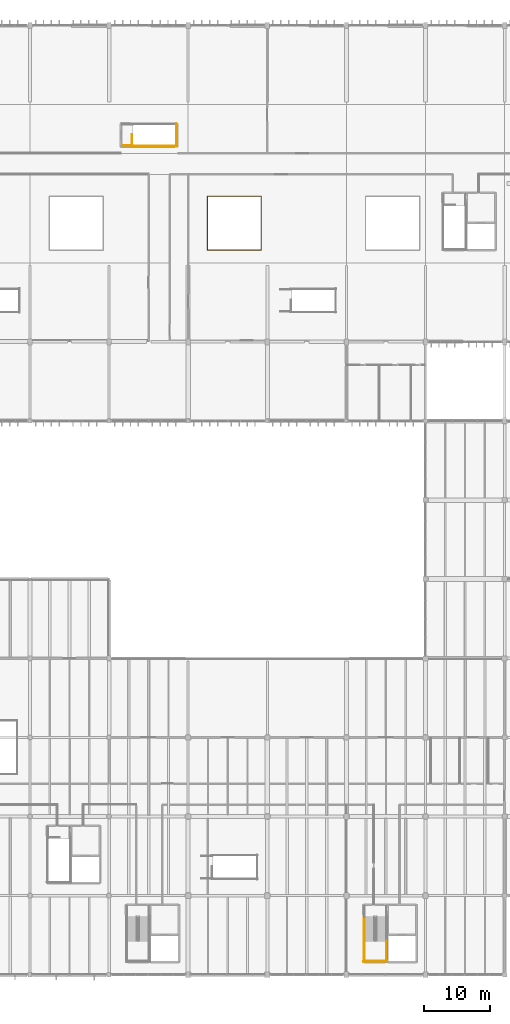
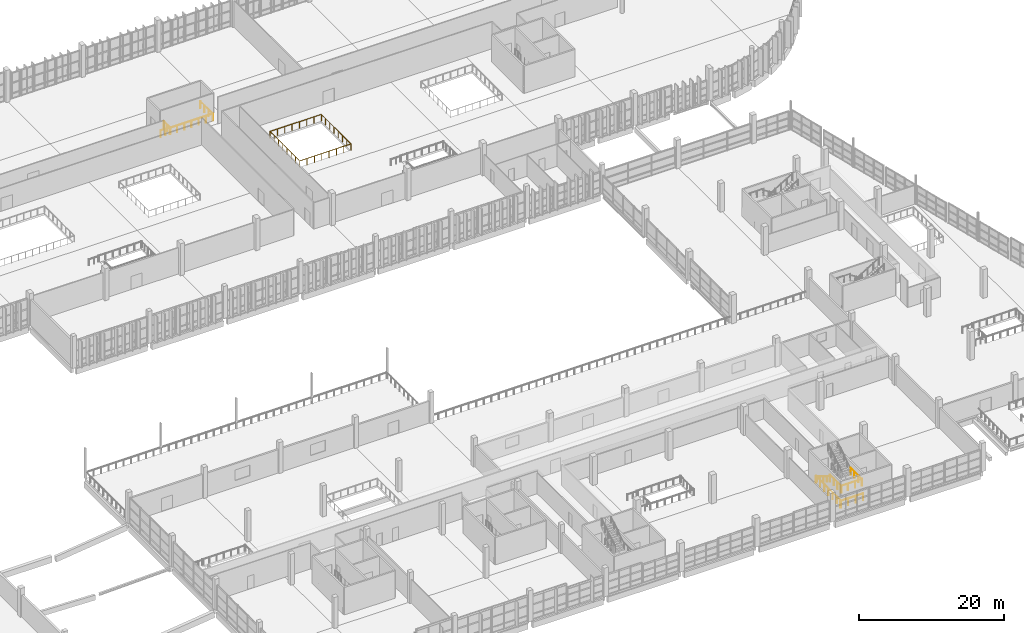
# One storey, part 100 of 112: 11 railings.
"""IFC4 building model written with IfcOpenShell, lengths in metres."""

from ifc_helpers import new_model, si_unit, direction, frame, origin, origin_2d, place, context, subcontext, project, spatial, circle, extrude, material, type_object, element, save


model = new_model("IFC4")

# Units and contexts
model_context = context("Model", 3, precision=1e-05, world=origin(), true_north=direction((0.0, 1.0)))
body_context = subcontext(model_context, "Body", "Model", "MODEL_VIEW")
ifc_project = project(units=[si_unit("LENGTHUNIT", "METRE"), si_unit("AREAUNIT", "SQUARE_METRE"), si_unit("VOLUMEUNIT", "CUBIC_METRE"), si_unit("PLANEANGLEUNIT", "RADIAN"), si_unit("MASSUNIT", "GRAM", prefix="KILO")], contexts=[model_context])

# Site, building, storey
site_placement = place(None, origin())
site = spatial("IfcSite", under=ifc_project, at=site_placement, CompositionType="ELEMENT")
building_placement = place(site_placement, origin())
building = spatial("IfcBuilding", under=site, at=building_placement, Name="Kamomehara Wholesale Market", CompositionType="ELEMENT")
storey_placement = place(building_placement, frame((0.0, 0.0, 6.60009765625)))
storey = spatial("IfcBuildingStorey", under=building, at=storey_placement, Name="L01", CompositionType="ELEMENT", Elevation=6.60009765625)

# Railings
ifc_material_1 = material(Name="Steel SN400B", Category="steel")
railing_type_1 = type_object("IfcRailingType", Name="RAL-HND-900", PredefinedType="HANDRAIL", material=ifc_material_1)
railing_1_placement = place(storey_placement, frame((146.75, 20.75, 0.1845703125)))
element("IfcRailing", 1, at=railing_1_placement, inside=storey, type_object=railing_type_1, Name="L01 ST-08 stair handrail 1", PredefinedType="HANDRAIL", context=body_context, shape_type="SweptSolid", body=[
    extrude(circle(Radius=0.02392578125, at=origin_2d()), frame((0.0, 0.0, 0.8759765625), z_axis=(0.0, -0.85167021472, 0.524078090897), x_axis=(1.0, 0.0, 0.0)), (0.0, 0.0, 1.0), 4.22705078125),
    extrude(circle(Radius=0.02099609375, at=origin_2d()), origin(), (0.0, 0.0, 1.0), 0.851806640625),
    extrude(circle(Radius=0.02099609375, at=origin_2d()), frame((0.0, -0.89990234375, 0.5537109375)), (0.0, 0.0, 1.0), 0.851806640625),
    extrude(circle(Radius=0.02099609375, at=origin_2d()), frame((0.0, -1.800048828125, 1.107666015625)), (0.0, 0.0, 1.0), 0.851806640625),
    extrude(circle(Radius=0.02099609375, at=origin_2d()), frame((0.0, -2.7001953125, 1.66162109375)), (0.0, 0.0, 1.0), 0.851806640625),
    extrude(circle(Radius=0.02099609375, at=origin_2d()), frame((0.0, -3.60009765625, 2.21533203125)), (0.0, 0.0, 1.0), 0.851806640625),
])
ifc_material_2 = material(Name="Steel SN400B", Category="steel")
railing_type_2 = type_object("IfcRailingType", Name="RAL-INT-1100", PredefinedType="BALUSTRADE", material=ifc_material_2)
for number, where, name in (
    (2, (146.75, 17.14990234375, 2.39990234375), "L01 ST-08 stair guard 3"),
    (3, (150.050048828125, 17.14990234375, 2.39990234375), "L01 ST-08 stair guard 4"),
):
    element("IfcRailing", number, at=place(storey_placement, frame(where)), inside=storey, type_object=railing_type_2, Name=name, PredefinedType="BALUSTRADE", context=body_context, shape_type="SweptSolid", body=[
        extrude(circle(Radius=0.02392578125, at=origin_2d()), frame((0.0, 0.0, 1.09619140625), z_axis=(0.0, -1.0, 0.0), x_axis=(1.0, 0.0, 0.0)), (0.0, 0.0, 1.0), 3.099853515625),
        extrude(circle(Radius=0.02099609375, at=origin_2d()), origin(), (0.0, 0.0, 1.0), 1.072021484375),
        extrude(circle(Radius=0.02099609375, at=origin_2d()), frame((0.0, -1.033203125, 0.0)), (0.0, 0.0, 1.0), 1.072021484375),
        extrude(circle(Radius=0.02099609375, at=origin_2d()), frame((0.0, -2.066650390625, 0.0)), (0.0, 0.0, 1.0), 1.072021484375),
        extrude(circle(Radius=0.02099609375, at=origin_2d()), frame((0.0, -3.099853515625, 0.0)), (0.0, 0.0, 1.0), 1.072021484375),
    ])
railing_2_placement = place(storey_placement, frame((146.699951171875, 14.10009765625, 2.39990234375)))
element("IfcRailing", 4, at=railing_2_placement, inside=storey, type_object=railing_type_2, Name="L01 ST-08 stair guard 5", PredefinedType="BALUSTRADE", context=body_context, shape_type="SweptSolid", body=[
    extrude(circle(Radius=0.02392578125, at=origin_2d()), frame((0.0, 0.0, 1.09619140625), z_axis=(1.0, 0.0, 0.0), x_axis=(0.0, 1.0, 0.0)), (0.0, 0.0, 1.0), 3.400146484375),
    extrude(circle(Radius=0.02099609375, at=origin_2d()), origin(), (0.0, 0.0, 1.0), 1.072021484375),
    extrude(circle(Radius=0.02099609375, at=origin_2d()), frame((1.13330078125, 0.0, 0.0)), (0.0, 0.0, 1.0), 1.072021484375),
    extrude(circle(Radius=0.02099609375, at=origin_2d()), frame((2.266845703125, 0.0, 0.0)), (0.0, 0.0, 1.0), 1.072021484375),
    extrude(circle(Radius=0.02099609375, at=origin_2d()), frame((3.400146484375, 0.0, 0.0)), (0.0, 0.0, 1.0), 1.072021484375),
])
railing_3_placement = place(storey_placement, frame((146.64990234375, 20.85009765625, 0.0)))
element("IfcRailing", 5, at=railing_3_placement, inside=storey, type_object=railing_type_2, Name="L01 ST-08 stair guard 10", PredefinedType="BALUSTRADE", context=body_context, shape_type="SweptSolid", body=[
    extrude(circle(Radius=0.02392578125, at=origin_2d()), frame((0.0, 0.0, 1.09619140625), z_axis=(0.0, -1.0, 0.0), x_axis=(1.0, 0.0, 0.0)), (0.0, 0.0, 1.0), 6.900146484375),
    extrude(circle(Radius=0.02099609375, at=origin_2d()), origin(), (0.0, 0.0, 1.0), 1.072021484375),
    extrude(circle(Radius=0.02099609375, at=origin_2d()), frame((0.0, -1.14990234375, 0.0)), (0.0, 0.0, 1.0), 1.072021484375),
    extrude(circle(Radius=0.02099609375, at=origin_2d()), frame((0.0, -2.300048828125, 0.0)), (0.0, 0.0, 1.0), 1.072021484375),
    extrude(circle(Radius=0.02099609375, at=origin_2d()), frame((0.0, -3.4501953125, 0.0)), (0.0, 0.0, 1.0), 1.072021484375),
    extrude(circle(Radius=0.02099609375, at=origin_2d()), frame((0.0, -4.60009765625, 0.0)), (0.0, 0.0, 1.0), 1.072021484375),
    extrude(circle(Radius=0.02099609375, at=origin_2d()), frame((0.0, -5.75, 0.0)), (0.0, 0.0, 1.0), 1.072021484375),
    extrude(circle(Radius=0.02099609375, at=origin_2d()), frame((0.0, -6.900146484375, 0.0)), (0.0, 0.0, 1.0), 1.072021484375),
])
railing_4_placement = place(storey_placement, frame((146.60009765625, 14.0, 0.0)))
element("IfcRailing", 6, at=railing_4_placement, inside=storey, type_object=railing_type_2, Name="L01 ST-08 stair guard 12", PredefinedType="BALUSTRADE", context=body_context, shape_type="SweptSolid", body=[
    extrude(circle(Radius=0.02392578125, at=origin_2d()), frame((0.0, 0.0, 1.09619140625), z_axis=(1.0, 0.0, 0.0), x_axis=(0.0, 1.0, 0.0)), (0.0, 0.0, 1.0), 3.599853515625),
    extrude(circle(Radius=0.02099609375, at=origin_2d()), origin(), (0.0, 0.0, 1.0), 1.072021484375),
    extrude(circle(Radius=0.02099609375, at=origin_2d()), frame((1.199951171875, 0.0, 0.0)), (0.0, 0.0, 1.0), 1.072021484375),
    extrude(circle(Radius=0.02099609375, at=origin_2d()), frame((2.39990234375, 0.0, 0.0)), (0.0, 0.0, 1.0), 1.072021484375),
    extrude(circle(Radius=0.02099609375, at=origin_2d()), frame((3.599853515625, 0.0, 0.0)), (0.0, 0.0, 1.0), 1.072021484375),
])
railing_5_placement = place(storey_placement, frame((111.47998046875, 137.75, 0.0)))
element("IfcRailing", 7, at=railing_5_placement, inside=storey, type_object=railing_type_2, Name="L01 ST-13 top well guard 1", PredefinedType="BALUSTRADE", context=body_context, shape_type="SweptSolid", body=[
    extrude(circle(Radius=0.02392578125, at=origin_2d()), frame((0.0, 0.0, 1.09619140625), z_axis=(0.0, 1.0, 0.0), x_axis=(-1.0, 0.0, 0.0)), (0.0, 0.0, 1.0), 1.72998046875),
    extrude(circle(Radius=0.02099609375, at=origin_2d()), origin(), (0.0, 0.0, 1.0), 1.072021484375),
    extrude(circle(Radius=0.02099609375, at=origin_2d()), frame((0.0, 0.864990234375, 0.0)), (0.0, 0.0, 1.0), 1.072021484375),
    extrude(circle(Radius=0.02099609375, at=origin_2d()), frame((0.0, 1.72998046875, 0.0)), (0.0, 0.0, 1.0), 1.072021484375),
])
railing_6_placement = place(storey_placement, frame((111.429931640625, 137.699951171875, 0.0)))
element("IfcRailing", 8, at=railing_6_placement, inside=storey, type_object=railing_type_2, Name="L01 ST-13 top well guard 2", PredefinedType="BALUSTRADE", context=body_context, shape_type="SweptSolid", body=[
    extrude(circle(Radius=0.02392578125, at=origin_2d()), frame((0.0, 0.0, 1.09619140625), z_axis=(1.0, 0.0, 0.0), x_axis=(0.0, 1.0, 0.0)), (0.0, 0.0, 1.0), 6.830078125),
    extrude(circle(Radius=0.02099609375, at=origin_2d()), origin(), (0.0, 0.0, 1.0), 1.072021484375),
    extrude(circle(Radius=0.02099609375, at=origin_2d()), frame((1.138427734375, 0.0, 0.0)), (0.0, 0.0, 1.0), 1.072021484375),
    extrude(circle(Radius=0.02099609375, at=origin_2d()), frame((2.276611328125, 0.0, 0.0)), (0.0, 0.0, 1.0), 1.072021484375),
    extrude(circle(Radius=0.02099609375, at=origin_2d()), frame((3.4150390625, 0.0, 0.0)), (0.0, 0.0, 1.0), 1.072021484375),
    extrude(circle(Radius=0.02099609375, at=origin_2d()), frame((4.553466796875, 0.0, 0.0)), (0.0, 0.0, 1.0), 1.072021484375),
    extrude(circle(Radius=0.02099609375, at=origin_2d()), frame((5.691650390625, 0.0, 0.0)), (0.0, 0.0, 1.0), 1.072021484375),
    extrude(circle(Radius=0.02099609375, at=origin_2d()), frame((6.830078125, 0.0, 0.0)), (0.0, 0.0, 1.0), 1.072021484375),
])
railing_7_placement = place(storey_placement, frame((118.2099609375, 137.64990234375, 0.0)))
element("IfcRailing", 9, at=railing_7_placement, inside=storey, type_object=railing_type_2, Name="L01 ST-13 top well guard 4", PredefinedType="BALUSTRADE", context=body_context, shape_type="SweptSolid", body=[
    extrude(circle(Radius=0.02392578125, at=origin_2d()), frame((0.0, 0.0, 1.09619140625), z_axis=(0.0, 1.0, 0.0), x_axis=(-1.0, 0.0, 0.0)), (0.0, 0.0, 1.0), 3.460205078125),
    extrude(circle(Radius=0.02099609375, at=origin_2d()), origin(), (0.0, 0.0, 1.0), 1.072021484375),
    extrude(circle(Radius=0.02099609375, at=origin_2d()), frame((0.0, 1.1533203125, 0.0)), (0.0, 0.0, 1.0), 1.072021484375),
    extrude(circle(Radius=0.02099609375, at=origin_2d()), frame((0.0, 2.306884765625, 0.0)), (0.0, 0.0, 1.0), 1.072021484375),
    extrude(circle(Radius=0.02099609375, at=origin_2d()), frame((0.0, 3.460205078125, 0.0)), (0.0, 0.0, 1.0), 1.072021484375),
])
railing_8_placement = place(storey_placement, frame((110.0, 137.800048828125, 0.0)))
element("IfcRailing", 10, at=railing_8_placement, inside=storey, type_object=railing_type_2, Name="L01 ST-13 top well guard 5", PredefinedType="BALUSTRADE", context=body_context, shape_type="SweptSolid", body=[
    extrude(circle(Radius=0.02392578125, at=origin_2d()), frame((0.0, 0.0, 1.09619140625), z_axis=(1.0, 0.0, 0.0), x_axis=(0.0, 1.0, 0.0)), (0.0, 0.0, 1.0), 1.530029296875),
    extrude(circle(Radius=0.02099609375, at=origin_2d()), origin(), (0.0, 0.0, 1.0), 1.072021484375),
    extrude(circle(Radius=0.02099609375, at=origin_2d()), frame((0.76513671875, 0.0, 0.0)), (0.0, 0.0, 1.0), 1.072021484375),
    extrude(circle(Radius=0.02099609375, at=origin_2d()), frame((1.530029296875, 0.0, 0.0)), (0.0, 0.0, 1.0), 1.072021484375),
])
railing_9_placement = place(storey_placement, frame((131.080078125, 121.919921875, 0.0)))
element("IfcRailing", 11, at=railing_9_placement, inside=storey, type_object=railing_type_2, Name="Atrium void guard L01 3", PredefinedType="BALUSTRADE", context=body_context, shape_type="SweptSolid", body=[
    extrude(circle(Radius=0.02392578125, at=origin_2d()), frame((0.0, 0.0, 1.09619140625), z_axis=(-1.0, 0.0, 0.0), x_axis=(0.0, -1.0, 0.0)), (0.0, 0.0, 1.0), 8.16015625),
    extrude(circle(Radius=0.02392578125, at=origin_2d()), frame((-8.16015625, 0.0, 1.09619140625), z_axis=(0.0, 1.0, 0.0), x_axis=(-1.0, 0.0, 0.0)), (0.0, 0.0, 1.0), 8.16015625),
    extrude(circle(Radius=0.02392578125, at=origin_2d()), frame((-8.16015625, 8.16015625, 1.09619140625), z_axis=(1.0, 0.0, 0.0), x_axis=(0.0, 1.0, 0.0)), (0.0, 0.0, 1.0), 8.16015625),
    extrude(circle(Radius=0.02392578125, at=origin_2d()), frame((0.0, 8.16015625, 1.09619140625), z_axis=(0.0, -1.0, 0.0), x_axis=(1.0, 0.0, 0.0)), (0.0, 0.0, 1.0), 8.16015625),
    extrude(circle(Radius=0.02099609375, at=origin_2d()), origin(), (0.0, 0.0, 1.0), 1.072021484375),
    extrude(circle(Radius=0.02099609375, at=origin_2d()), frame((-1.165771484375, 0.0, 0.0)), (0.0, 0.0, 1.0), 1.072021484375),
    extrude(circle(Radius=0.02099609375, at=origin_2d()), frame((-2.33154296875, 0.0, 0.0)), (0.0, 0.0, 1.0), 1.072021484375),
    extrude(circle(Radius=0.02099609375, at=origin_2d()), frame((-3.497314453125, 0.0, 0.0)), (0.0, 0.0, 1.0), 1.072021484375),
    extrude(circle(Radius=0.02099609375, at=origin_2d()), frame((-4.662841796875, 0.0, 0.0)), (0.0, 0.0, 1.0), 1.072021484375),
    extrude(circle(Radius=0.02099609375, at=origin_2d()), frame((-5.82861328125, 0.0, 0.0)), (0.0, 0.0, 1.0), 1.072021484375),
    extrude(circle(Radius=0.02099609375, at=origin_2d()), frame((-6.994384765625, 0.0, 0.0)), (0.0, 0.0, 1.0), 1.072021484375),
    extrude(circle(Radius=0.02099609375, at=origin_2d()), frame((-8.16015625, 0.0, 0.0)), (0.0, 0.0, 1.0), 1.072021484375),
    extrude(circle(Radius=0.02099609375, at=origin_2d()), frame((-8.16015625, 1.165771484375, 0.0)), (0.0, 0.0, 1.0), 1.072021484375),
    extrude(circle(Radius=0.02099609375, at=origin_2d()), frame((-8.16015625, 2.33154296875, 0.0)), (0.0, 0.0, 1.0), 1.072021484375),
    extrude(circle(Radius=0.02099609375, at=origin_2d()), frame((-8.16015625, 3.497314453125, 0.0)), (0.0, 0.0, 1.0), 1.072021484375),
    extrude(circle(Radius=0.02099609375, at=origin_2d()), frame((-8.16015625, 4.662841796875, 0.0)), (0.0, 0.0, 1.0), 1.072021484375),
    extrude(circle(Radius=0.02099609375, at=origin_2d()), frame((-8.16015625, 5.82861328125, 0.0)), (0.0, 0.0, 1.0), 1.072021484375),
    extrude(circle(Radius=0.02099609375, at=origin_2d()), frame((-8.16015625, 6.994384765625, 0.0)), (0.0, 0.0, 1.0), 1.072021484375),
    extrude(circle(Radius=0.02099609375, at=origin_2d()), frame((-8.16015625, 8.16015625, 0.0)), (0.0, 0.0, 1.0), 1.072021484375),
    extrude(circle(Radius=0.02099609375, at=origin_2d()), frame((-6.994384765625, 8.16015625, 0.0)), (0.0, 0.0, 1.0), 1.072021484375),
    extrude(circle(Radius=0.02099609375, at=origin_2d()), frame((-5.82861328125, 8.16015625, 0.0)), (0.0, 0.0, 1.0), 1.072021484375),
    extrude(circle(Radius=0.02099609375, at=origin_2d()), frame((-4.662841796875, 8.16015625, 0.0)), (0.0, 0.0, 1.0), 1.072021484375),
    extrude(circle(Radius=0.02099609375, at=origin_2d()), frame((-3.497314453125, 8.16015625, 0.0)), (0.0, 0.0, 1.0), 1.072021484375),
    extrude(circle(Radius=0.02099609375, at=origin_2d()), frame((-2.33154296875, 8.16015625, 0.0)), (0.0, 0.0, 1.0), 1.072021484375),
    extrude(circle(Radius=0.02099609375, at=origin_2d()), frame((-1.165771484375, 8.16015625, 0.0)), (0.0, 0.0, 1.0), 1.072021484375),
    extrude(circle(Radius=0.02099609375, at=origin_2d()), frame((0.0, 8.16015625, 0.0)), (0.0, 0.0, 1.0), 1.072021484375),
    extrude(circle(Radius=0.02099609375, at=origin_2d()), frame((0.0, 6.994384765625, 0.0)), (0.0, 0.0, 1.0), 1.072021484375),
    extrude(circle(Radius=0.02099609375, at=origin_2d()), frame((0.0, 5.82861328125, 0.0)), (0.0, 0.0, 1.0), 1.072021484375),
    extrude(circle(Radius=0.02099609375, at=origin_2d()), frame((0.0, 4.662841796875, 0.0)), (0.0, 0.0, 1.0), 1.072021484375),
    extrude(circle(Radius=0.02099609375, at=origin_2d()), frame((0.0, 3.497314453125, 0.0)), (0.0, 0.0, 1.0), 1.072021484375),
    extrude(circle(Radius=0.02099609375, at=origin_2d()), frame((0.0, 2.33154296875, 0.0)), (0.0, 0.0, 1.0), 1.072021484375),
    extrude(circle(Radius=0.02099609375, at=origin_2d()), frame((0.0, 1.165771484375, 0.0)), (0.0, 0.0, 1.0), 1.072021484375),
])

save(model, "model.ifc")
